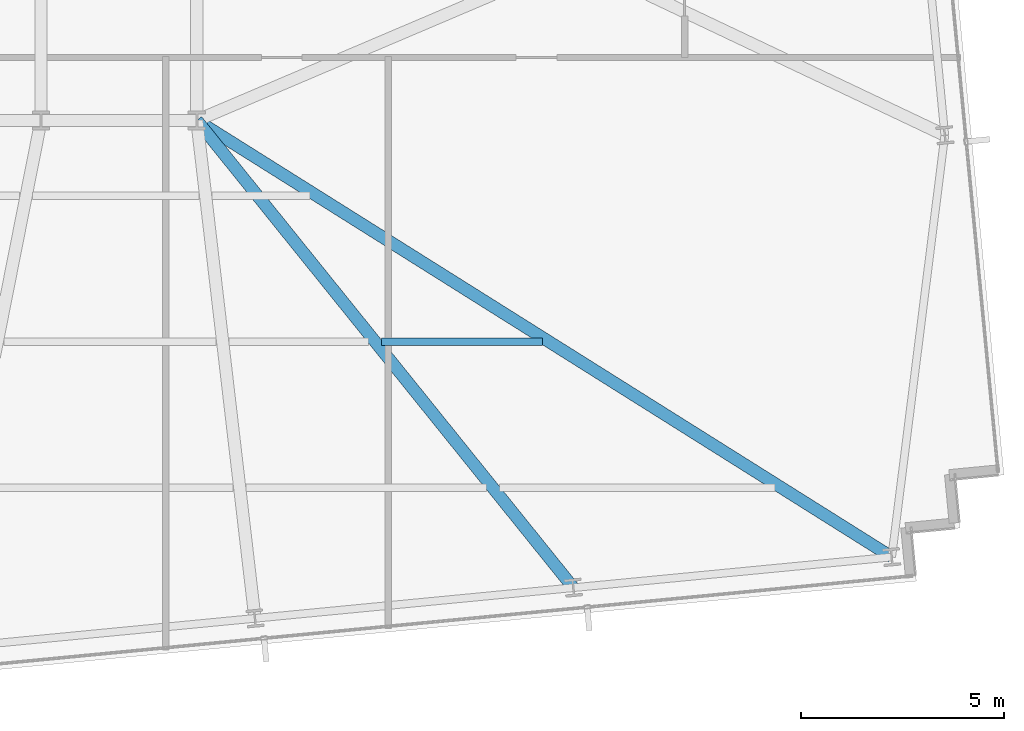
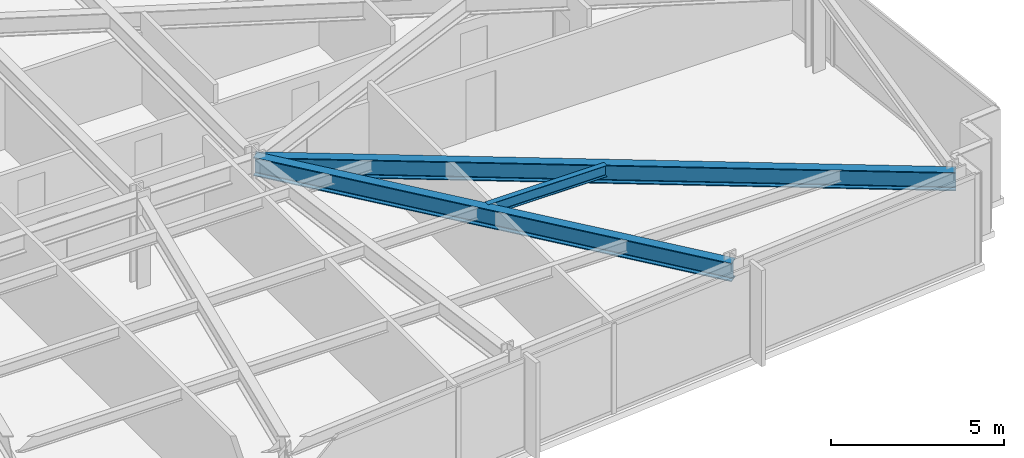
# One storey, part 13 of 33: 3 beams.
"""IFC4 building model written with IfcOpenShell, lengths in metres."""

from ifc_helpers import new_model, si_unit, direction, frame, origin, origin_2d, place, context, subcontext, project, spatial, i_section, extrude, material, material_profile, profile_set, type_object, element, save


model = new_model("IFC4")

# Units and contexts
model_context = context("Model", 3, precision=1e-05, world=origin(), true_north=direction((0.0, 1.0)))
body_context = subcontext(model_context, "Body", "Model", "MODEL_VIEW")
ifc_project = project(units=[si_unit("LENGTHUNIT", "METRE"), si_unit("AREAUNIT", "SQUARE_METRE"), si_unit("VOLUMEUNIT", "CUBIC_METRE"), si_unit("PLANEANGLEUNIT", "RADIAN"), si_unit("MASSUNIT", "GRAM", prefix="KILO")], contexts=[model_context])

# Site, building, storey
site_placement = place(None, origin())
site = spatial("IfcSite", under=ifc_project, at=site_placement, CompositionType="ELEMENT")
building_placement = place(site_placement, origin())
building = spatial("IfcBuilding", under=site, at=building_placement, Name="Yelkora Congress Tower", CompositionType="ELEMENT")
storey_placement = place(building_placement, frame((0.0, 0.0, 110.10009765625)))
storey = spatial("IfcBuildingStorey", under=building, at=storey_placement, Name="L29", CompositionType="ELEMENT", Elevation=110.10009765625)

# Beams
ifc_material = material(Name="Steel S355J2", Category="steel")
ifc_material_profile_1 = material_profile(ifc_material, i_section(OverallWidth=0.300048828125, OverallDepth=0.64990234375, WebThickness=0.01611328125, FlangeThickness=0.031005859375, FilletRadius=0.027099609375, at=origin_2d()), Name="HEB 650")
ifc_profile_set_1 = profile_set([ifc_material_profile_1], Name="Steel S355J2")
beam_type_1 = type_object("IfcBeamType", Name="BM-GIRD-HEB650", PredefinedType="BEAM", material=ifc_profile_set_1)
beam_1_placement = place(storey_placement, frame((66.882568359375, 13.67919921875, 2.85498046875), z_axis=(-0.627405981031, 0.778692323686, 0.0), x_axis=(-0.778692323686, -0.627405981031, 0.0)))
element("IfcBeam", 1, at=beam_1_placement, inside=storey, type_object=beam_type_1, Name="L29 Primary Frame Girder S07", PredefinedType="BEAM", context=body_context, shape_type="SweptSolid", body=[
    extrude(i_section(OverallWidth=0.300048828125, OverallDepth=0.64990234375, WebThickness=0.01611328125, FlangeThickness=0.031005859375, FilletRadius=0.027099609375, at=origin_2d()), origin(), (0.0, 0.0, 1.0), 14.794921875),
])
beam_2_placement = place(storey_placement, frame((74.73193359375, 14.43505859375, 2.85498046875), z_axis=(-0.846718708798, 0.532040814385, 0.0), x_axis=(-0.532040814385, -0.846718708798, 0.0)))
element("IfcBeam", 2, at=beam_2_placement, inside=storey, type_object=beam_type_1, Name="L29 Primary Frame Girder S08", PredefinedType="BEAM", context=body_context, shape_type="SweptSolid", body=[
    extrude(i_section(OverallWidth=0.300048828125, OverallDepth=0.64990234375, WebThickness=0.01611328125, FlangeThickness=0.031005859375, FilletRadius=0.027099609375, at=origin_2d()), origin(), (0.0, 0.0, 1.0), 20.233154296875),
])
ifc_material_profile_2 = material_profile(ifc_material, i_section(OverallWidth=0.179931640625, OverallDepth=0.39990234375, WebThickness=0.008544921875, FlangeThickness=0.013427734375, FilletRadius=0.02099609375, at=origin_2d()), Name="IPE 400")
ifc_profile_set_2 = profile_set([ifc_material_profile_2], Name="Steel S355J2")
beam_type_2 = type_object("IfcBeamType", Name="BM-JOIST-IPE400", PredefinedType="JOIST", material=ifc_profile_set_2)
beam_3_placement = place(storey_placement, frame((62.15576171875, 19.744384765625, 2.97998046875), z_axis=(1.0, 0.0, 0.0), x_axis=(0.0, 1.0, 0.0)))
element("IfcBeam", 3, at=beam_3_placement, inside=storey, type_object=beam_type_2, Name="L29 Composite Floor Joist 17", PredefinedType="JOIST", context=body_context, shape_type="SweptSolid", body=[
    extrude(i_section(OverallWidth=0.179931640625, OverallDepth=0.39990234375, WebThickness=0.008544921875, FlangeThickness=0.013427734375, FilletRadius=0.02099609375, at=origin_2d()), origin(), (0.0, 0.0, 1.0), 3.966552734375),
])

save(model, "model.ifc")
